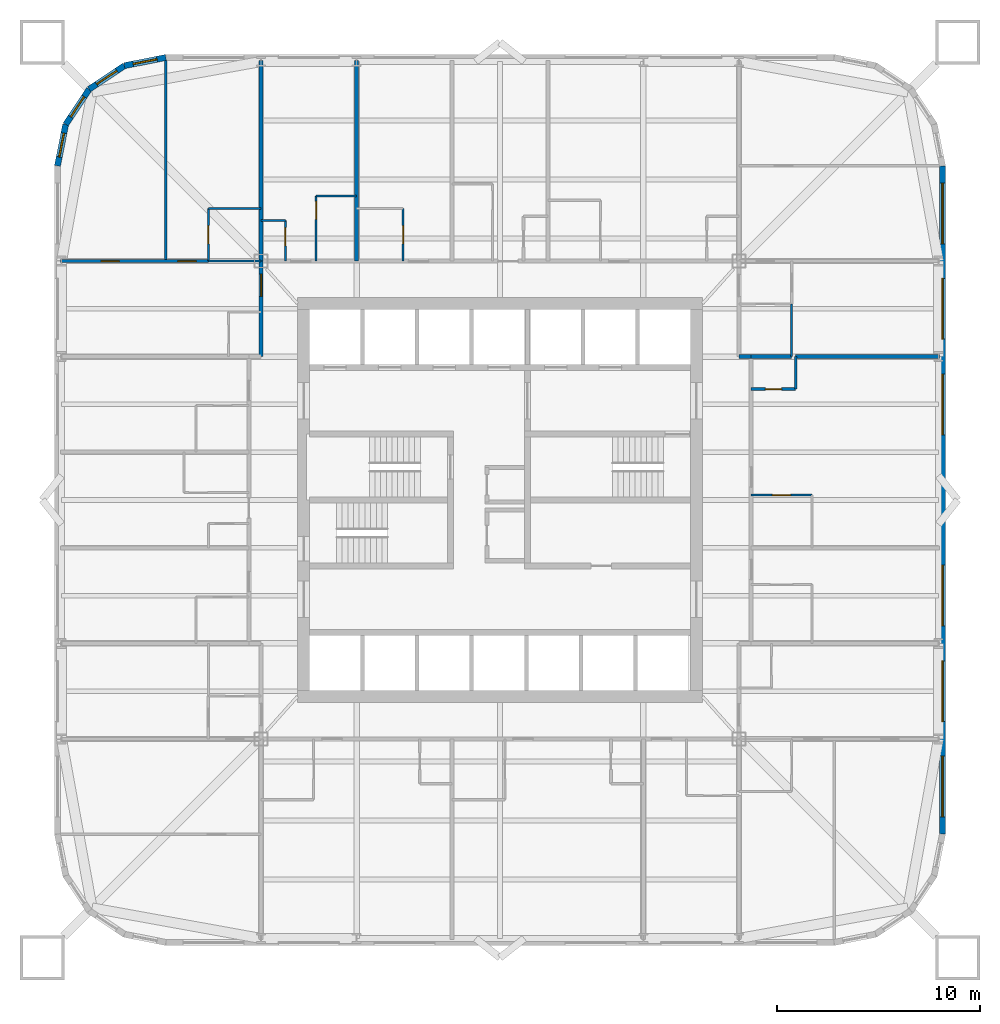
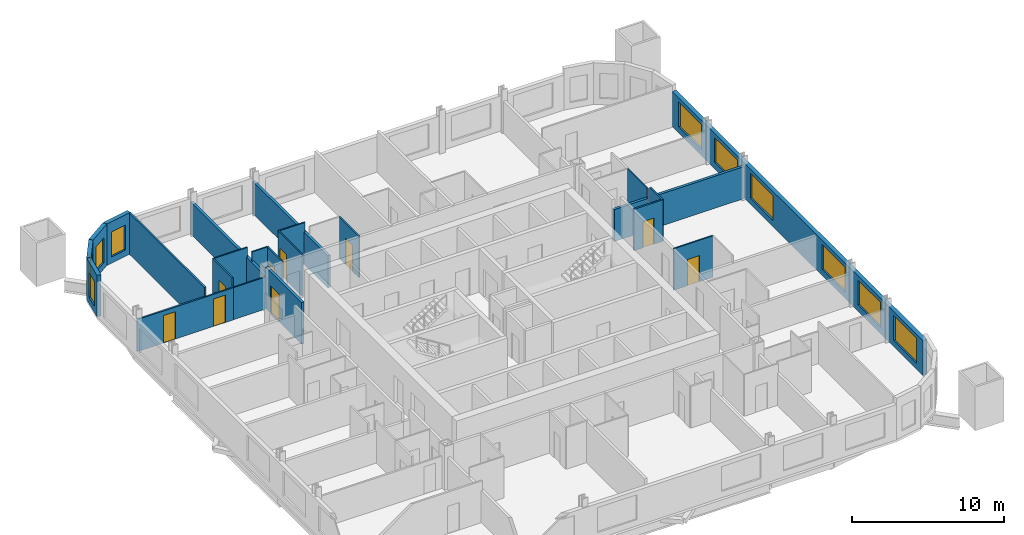
# One storey, part 6 of 9: 25 walls, 10 windows, 9 doors, 19 openings.
"""IFC4 building model written with IfcOpenShell, lengths in metres."""

from ifc_helpers import new_model, si_unit, direction, frame, frame_2d, origin, place, context, subcontext, project, spatial, rectangle, extrude, material, layer, layer_set, type_object, element, fill, save


model = new_model("IFC4")

# Units and contexts
model_context = context("Model", 3, precision=1e-05, world=origin(), true_north=direction((0.0, 1.0)))
body_context = subcontext(model_context, "Body", "Model", "MODEL_VIEW")
ifc_project = project(units=[si_unit("LENGTHUNIT", "METRE"), si_unit("AREAUNIT", "SQUARE_METRE"), si_unit("VOLUMEUNIT", "CUBIC_METRE"), si_unit("PLANEANGLEUNIT", "RADIAN"), si_unit("MASSUNIT", "GRAM", prefix="KILO")], contexts=[model_context])

# Site, building, storey
site_placement = place(None, origin())
site = spatial("IfcSite", under=ifc_project, at=site_placement, CompositionType="ELEMENT")
building_placement = place(site_placement, origin())
building = spatial("IfcBuilding", under=site, at=building_placement, Name="Turquesa Mirador Hotel Tower", CompositionType="ELEMENT")
storey_placement = place(building_placement, frame((0.0, 0.0, 56.5)))
storey = spatial("IfcBuildingStorey", under=building, at=storey_placement, Name="L14", CompositionType="ELEMENT", Elevation=56.5)

# Wall, opening, door
ifc_material_1 = material(Name="Gypsum board on steel studs", Category="steel")
ifc_layer_1 = layer(ifc_material_1, 0.10009765625)
ifc_layer_set_1 = layer_set([ifc_layer_1], Name="BATHROOM WALL 100")
wall_type_1 = type_object("IfcWallType", Name="BATHROOM WALL 100", PredefinedType="PARTITIONING", material=ifc_layer_set_1)
wall_1_placement = place(storey_placement, frame((67.39990234375, 45.239990234375, 0.0), z_axis=(0.0, 0.0, 1.0), x_axis=(1.0, 0.0, 0.0)))
wall_1 = element("IfcWall", 1, at=wall_1_placement, inside=storey, type_object=wall_type_1, Name="Partition L14 023", PredefinedType="PARTITIONING", context=body_context, shape_type="SweptSolid", body=[
    extrude(rectangle(XDim=3.0, YDim=0.10009765625, at=frame_2d((1.5, 0.0))), origin(), (0.0, 0.0, 1.0), 3.330078125),
])
opening_1_placement = place(wall_1_placement, frame((1.050048828125, 0.0, 0.0)))
opening_1 = element("IfcOpeningElement", 2, at=opening_1_placement, cuts=wall_1, Name="Opening D02", PredefinedType="OPENING", context=body_context, shape_type="SweptSolid", body=[
    extrude(rectangle(XDim=0.89990234375, YDim=2.10009765625, at=frame_2d((0.449951171875, 1.050048828125))), frame((0.0, 0.06005859375, 0.0), z_axis=(0.0, -1.0, 0.0), x_axis=(1.0, 0.0, 0.0)), (0.0, 0.0, 1.0), 0.1201171875),
])
ifc_material_2 = material(Name="Timber veneered door", Category="wood")
door_type_1 = type_object("IfcDoorType", Name="DOOR 900X2100 EN-SUITE", OperationType="SINGLE_SWING_RIGHT", PredefinedType="DOOR", material=ifc_material_2)
door_1_placement = place(opening_1_placement, origin())
door_1 = element("IfcDoor", 3, at=door_1_placement, inside=storey, type_object=door_type_1, Name="Door 1409B", OperationType="SINGLE_SWING_RIGHT", OverallHeight=2.10009765625, OverallWidth=0.89990234375, PredefinedType="DOOR", context=body_context, shape_type="SweptSolid", body=[
    extrude(rectangle(XDim=0.89990234375, YDim=2.10009765625, at=frame_2d((0.449951171875, 1.050048828125))), frame((0.0, 0.02490234375, 0.0), z_axis=(0.0, -1.0, 0.0), x_axis=(1.0, 0.0, 0.0)), (0.0, 0.0, 1.0), 0.050048828125),
])
fill(opening_1, door_1)

# Walls
wall_2_placement = place(storey_placement, frame((40.60009765625, 56.800048828125, 0.0), z_axis=(0.0, 0.0, 1.0), x_axis=(1.0, 0.0, 0.0)))
element("IfcWall", 4, at=wall_2_placement, inside=storey, type_object=wall_type_1, Name="Partition L14 025", PredefinedType="PARTITIONING", context=body_context, shape_type="SweptSolid", body=[
    extrude(rectangle(XDim=2.599853515625, YDim=0.10009765625, at=frame_2d((1.2998046875, 0.0))), origin(), (0.0, 0.0, 1.0), 2.572998046875),
])
wall_3_placement = place(storey_placement, frame((43.199951171875, 58.800048828125, 0.0), z_axis=(0.0, 0.0, 1.0), x_axis=(1.0, 0.0, 0.0)))
element("IfcWall", 5, at=wall_3_placement, inside=storey, type_object=wall_type_1, Name="Partition L14 029", PredefinedType="PARTITIONING", context=body_context, shape_type="SweptSolid", body=[
    extrude(rectangle(XDim=1.199951171875, YDim=0.10009765625, at=frame_2d((0.60009765625, 0.0))), origin(), (0.0, 0.0, 1.0), 3.330078125),
])
wall_4_placement = place(storey_placement, frame((40.60009765625, 59.39990234375, 0.0), z_axis=(0.0, 0.0, 1.0), x_axis=(1.0, 0.0, 0.0)))
element("IfcWall", 6, at=wall_4_placement, inside=storey, type_object=wall_type_1, Name="Partition L14 032", PredefinedType="PARTITIONING", context=body_context, shape_type="SweptSolid", body=[
    extrude(rectangle(XDim=2.599853515625, YDim=0.10009765625, at=frame_2d((1.2998046875, 0.0))), origin(), (0.0, 0.0, 1.0), 3.330078125),
])
wall_5_placement = place(storey_placement, frame((45.919921875, 60.0, 0.0), z_axis=(0.0, 0.0, 1.0), x_axis=(1.0, 0.0, 0.0)))
element("IfcWall", 7, at=wall_5_placement, inside=storey, type_object=wall_type_1, Name="Partition L14 035", PredefinedType="PARTITIONING", context=body_context, shape_type="SweptSolid", body=[
    extrude(rectangle(XDim=2.0, YDim=0.10009765625, at=frame_2d((1.0, 0.0))), origin(), (0.0, 0.0, 1.0), 3.330078125),
])

# Wall, opening, door
wall_6_placement = place(storey_placement, frame((44.39990234375, 56.800048828125, 0.0), z_axis=(0.0, 0.0, 1.0), x_axis=(0.0, 1.0, 0.0)))
wall_6 = element("IfcWall", 8, at=wall_6_placement, inside=storey, type_object=wall_type_1, Name="Partition L14 049", PredefinedType="PARTITIONING", context=body_context, shape_type="SweptSolid", body=[
    extrude(rectangle(XDim=2.0, YDim=0.10009765625, at=frame_2d((1.0, 0.0))), origin(), (0.0, 0.0, 1.0), 3.330078125),
])
opening_2_placement = place(wall_6_placement, frame((0.75, 0.0, 0.0)))
opening_2 = element("IfcOpeningElement", 9, at=opening_2_placement, cuts=wall_6, Name="Opening D06", PredefinedType="OPENING", context=body_context, shape_type="SweptSolid", body=[
    extrude(rectangle(XDim=0.89990234375, YDim=2.10009765625, at=frame_2d((0.449951171875, 1.050048828125))), frame((0.0, 0.06005859375, 0.0), z_axis=(0.0, -1.0, 0.0), x_axis=(1.0, 0.0, 0.0)), (0.0, 0.0, 1.0), 0.1201171875),
])
ifc_material_3 = material(Name="Laminate door", Category="wood")
door_type_2 = type_object("IfcDoorType", Name="DOOR 900X2100 WC", OperationType="SINGLE_SWING_LEFT", PredefinedType="DOOR", material=ifc_material_3)
door_2_placement = place(opening_2_placement, origin())
door_2 = element("IfcDoor", 10, at=door_2_placement, inside=storey, type_object=door_type_2, Name="Door 1401W", OperationType="SINGLE_SWING_LEFT", OverallHeight=2.10009765625, OverallWidth=0.89990234375, PredefinedType="DOOR", context=body_context, shape_type="SweptSolid", body=[
    extrude(rectangle(XDim=0.89990234375, YDim=2.10009765625, at=frame_2d((0.449951171875, 1.050048828125))), frame((0.0, 0.02490234375, 0.0), z_axis=(0.0, -1.0, 0.0), x_axis=(1.0, 0.0, 0.0)), (0.0, 0.0, 1.0), 0.050048828125),
])
fill(opening_2, door_2)

wall_7_placement = place(storey_placement, frame((40.60009765625, 56.800048828125, 0.0), z_axis=(0.0, 0.0, 1.0), x_axis=(0.0, 1.0, 0.0)))
wall_7 = element("IfcWall", 11, at=wall_7_placement, inside=storey, type_object=wall_type_1, Name="Partition L14 058", PredefinedType="PARTITIONING", context=body_context, shape_type="SweptSolid", body=[
    extrude(rectangle(XDim=2.599853515625, YDim=0.10009765625, at=frame_2d((1.2998046875, 0.0))), origin(), (0.0, 0.0, 1.0), 3.330078125),
])
opening_3_placement = place(wall_7_placement, frame((0.85009765625, 0.0, 0.0)))
opening_3 = element("IfcOpeningElement", 12, at=opening_3_placement, cuts=wall_7, Name="Opening D02", PredefinedType="OPENING", context=body_context, shape_type="SweptSolid", body=[
    extrude(rectangle(XDim=0.89990234375, YDim=2.10009765625, at=frame_2d((0.449951171875, 1.050048828125))), frame((0.0, 0.06005859375, 0.0), z_axis=(0.0, -1.0, 0.0), x_axis=(1.0, 0.0, 0.0)), (0.0, 0.0, 1.0), 0.1201171875),
])
door_3_placement = place(opening_3_placement, origin())
door_3 = element("IfcDoor", 13, at=door_3_placement, inside=storey, type_object=door_type_1, Name="Door 1414B", OperationType="SINGLE_SWING_RIGHT", OverallHeight=2.10009765625, OverallWidth=0.89990234375, PredefinedType="DOOR", context=body_context, shape_type="SweptSolid", body=[
    extrude(rectangle(XDim=0.89990234375, YDim=2.10009765625, at=frame_2d((0.449951171875, 1.050048828125))), frame((0.0, 0.02490234375, 0.0), z_axis=(0.0, -1.0, 0.0), x_axis=(1.0, 0.0, 0.0)), (0.0, 0.0, 1.0), 0.050048828125),
])
fill(opening_3, door_3)

wall_8_placement = place(storey_placement, frame((50.219970703125, 56.800048828125, 0.0), z_axis=(0.0, 0.0, 1.0), x_axis=(0.0, 1.0, 0.0)))
wall_8 = element("IfcWall", 14, at=wall_8_placement, inside=storey, type_object=wall_type_1, Name="Partition L14 067", PredefinedType="PARTITIONING", context=body_context, shape_type="SweptSolid", body=[
    extrude(rectangle(XDim=2.599853515625, YDim=0.10009765625, at=frame_2d((1.2998046875, 0.0))), origin(), (0.0, 0.0, 1.0), 3.330078125),
])
opening_4_placement = place(wall_8_placement, frame((0.85009765625, 0.0, 0.0)))
opening_4 = element("IfcOpeningElement", 15, at=opening_4_placement, cuts=wall_8, Name="Opening D02", PredefinedType="OPENING", context=body_context, shape_type="SweptSolid", body=[
    extrude(rectangle(XDim=0.89990234375, YDim=2.10009765625, at=frame_2d((0.449951171875, 1.050048828125))), frame((0.0, 0.06005859375, 0.0), z_axis=(0.0, -1.0, 0.0), x_axis=(1.0, 0.0, 0.0)), (0.0, 0.0, 1.0), 0.1201171875),
])
door_4_placement = place(opening_4_placement, origin())
door_4 = element("IfcDoor", 16, at=door_4_placement, inside=storey, type_object=door_type_1, Name="Door 1402B", OperationType="SINGLE_SWING_RIGHT", OverallHeight=2.10009765625, OverallWidth=0.89990234375, PredefinedType="DOOR", context=body_context, shape_type="SweptSolid", body=[
    extrude(rectangle(XDim=0.89990234375, YDim=2.10009765625, at=frame_2d((0.449951171875, 1.050048828125))), frame((0.0, 0.02490234375, 0.0), z_axis=(0.0, -1.0, 0.0), x_axis=(1.0, 0.0, 0.0)), (0.0, 0.0, 1.0), 0.050048828125),
])
fill(opening_4, door_4)

wall_9_placement = place(storey_placement, frame((45.919921875, 56.800048828125, 0.0), z_axis=(0.0, 0.0, 1.0), x_axis=(0.0, 1.0, 0.0)))
wall_9 = element("IfcWall", 17, at=wall_9_placement, inside=storey, type_object=wall_type_1, Name="Partition L14 069", PredefinedType="PARTITIONING", context=body_context, shape_type="SweptSolid", body=[
    extrude(rectangle(XDim=3.199951171875, YDim=0.10009765625, at=frame_2d((1.60009765625, 0.0))), origin(), (0.0, 0.0, 1.0), 3.330078125),
])
opening_5_placement = place(wall_9_placement, frame((2.050048828125, 0.0, 0.0)))
opening_5 = element("IfcOpeningElement", 18, at=opening_5_placement, cuts=wall_9, Name="Opening D02", PredefinedType="OPENING", context=body_context, shape_type="SweptSolid", body=[
    extrude(rectangle(XDim=0.89990234375, YDim=2.10009765625, at=frame_2d((0.449951171875, 1.050048828125))), frame((0.0, 0.06005859375, 0.0), z_axis=(0.0, -1.0, 0.0), x_axis=(1.0, 0.0, 0.0)), (0.0, 0.0, 1.0), 0.1201171875),
])
door_5_placement = place(opening_5_placement, origin())
door_5 = element("IfcDoor", 19, at=door_5_placement, inside=storey, type_object=door_type_1, Name="Door 1401B", OperationType="SINGLE_SWING_RIGHT", OverallHeight=2.10009765625, OverallWidth=0.89990234375, PredefinedType="DOOR", context=body_context, shape_type="SweptSolid", body=[
    extrude(rectangle(XDim=0.89990234375, YDim=2.10009765625, at=frame_2d((0.449951171875, 1.050048828125))), frame((0.0, 0.02490234375, 0.0), z_axis=(0.0, -1.0, 0.0), x_axis=(1.0, 0.0, 0.0)), (0.0, 0.0, 1.0), 0.050048828125),
])
fill(opening_5, door_5)

# Walls
wall_10_placement = place(storey_placement, frame((69.39990234375, 52.080078125, 0.0), z_axis=(0.0, 0.0, 1.0), x_axis=(0.0, 1.0, 0.0)))
element("IfcWall", 20, at=wall_10_placement, inside=storey, type_object=wall_type_1, Name="Partition L14 082", PredefinedType="PARTITIONING", context=body_context, shape_type="SweptSolid", body=[
    extrude(rectangle(XDim=2.599853515625, YDim=0.10009765625, at=frame_2d((1.2998046875, 0.0))), origin(), (0.0, 0.0, 1.0), 3.330078125),
])
ifc_material_4 = material(Name="Fire-rated gypsum board on steel studs", Category="steel")
ifc_layer_2 = layer(ifc_material_4, 0.199951171875)
ifc_layer_set_2 = layer_set([ifc_layer_2], Name="CORRIDOR WALL 200")
wall_type_2 = type_object("IfcWallType", Name="CORRIDOR WALL 200", PredefinedType="PARTITIONING", material=ifc_layer_set_2)
wall_11_placement = place(storey_placement, frame((66.800048828125, 52.080078125, 0.0), z_axis=(0.0, 0.0, 1.0), x_axis=(1.0, 0.0, 0.0)))
element("IfcWall", 21, at=wall_11_placement, inside=storey, type_object=wall_type_2, Name="Partition L14 042", PredefinedType="PARTITIONING", context=body_context, shape_type="SweptSolid", body=[
    extrude(rectangle(XDim=0.599853515625, YDim=0.199951171875, at=frame_2d((0.2998046875, 0.0))), origin(), (0.0, 0.0, 1.0), 2.572998046875),
])

# Wall, opening, door
wall_12_placement = place(storey_placement, frame((43.199951171875, 52.080078125, 0.0), z_axis=(0.0, 0.0, 1.0), x_axis=(0.0, 1.0, 0.0)))
wall_12 = element("IfcWall", 22, at=wall_12_placement, inside=storey, type_object=wall_type_2, Name="Partition L14 051", PredefinedType="PARTITIONING", context=body_context, shape_type="SweptSolid", body=[
    extrude(rectangle(XDim=4.719970703125, YDim=0.199951171875, at=frame_2d((2.35986328125, 0.0))), origin(), (0.0, 0.0, 1.0), 3.330078125),
])
opening_6_placement = place(wall_12_placement, frame((2.969970703125, 0.0, 0.0)))
opening_6 = element("IfcOpeningElement", 23, at=opening_6_placement, cuts=wall_12, Name="Opening D15", PredefinedType="OPENING", context=body_context, shape_type="SweptSolid", body=[
    extrude(rectangle(XDim=1.10009765625, YDim=2.199951171875, at=frame_2d((0.550048828125, 1.10009765625))), frame((0.0, 0.10986328125, 0.0), z_axis=(0.0, -1.0, 0.0), x_axis=(1.0, 0.0, 0.0)), (0.0, 0.0, 1.0), 0.219970703125),
])
ifc_material_5 = material(Name="Timber veneered fire door", Category="wood")
door_type_3 = type_object("IfcDoorType", Name="DOOR 1100X2200 SUITE ENTRY", OperationType="SINGLE_SWING_LEFT", PredefinedType="DOOR", material=ifc_material_5)
door_6_placement = place(opening_6_placement, origin())
door_6 = element("IfcDoor", 24, at=door_6_placement, inside=storey, type_object=door_type_3, Name="Door 1414", OperationType="SINGLE_SWING_LEFT", OverallHeight=2.199951171875, OverallWidth=1.10009765625, PredefinedType="DOOR", context=body_context, shape_type="SweptSolid", body=[
    extrude(rectangle(XDim=1.10009765625, YDim=2.199951171875, at=frame_2d((0.550048828125, 1.10009765625))), frame((0.0, 0.02490234375, 0.0), z_axis=(0.0, -1.0, 0.0), x_axis=(1.0, 0.0, 0.0)), (0.0, 0.0, 1.0), 0.050048828125),
])
fill(opening_6, door_6)

# Wall, openings, windows
ifc_material_6 = material(Name="Limestone cladding on concrete block", Category="masonry")
ifc_layer_3 = layer(ifc_material_6, 0.300048828125)
ifc_layer_set_3 = layer_set([ifc_layer_3], Name="FACADE WALL 300 STONE SCREEN")
wall_type_3 = type_object("IfcWallType", Name="FACADE WALL 300 STONE SCREEN", PredefinedType="SOLIDWALL", material=ifc_layer_set_3)
wall_13_placement = place(storey_placement, frame((76.85009765625, 28.5, 0.0), z_axis=(0.0, 0.0, 1.0), x_axis=(0.0, 1.0, 0.0)))
wall_13 = element("IfcWall", 25, at=wall_13_placement, inside=storey, type_object=wall_type_3, Name="Facade wall L14 04", PredefinedType="SOLIDWALL", context=body_context, shape_type="SweptSolid", body=[
    extrude(rectangle(XDim=33.0, YDim=0.300048828125, at=frame_2d((16.5, 0.0))), origin(), (0.0, 0.0, 1.0), 2.830078125),
])
opening_7_placement = place(wall_13_placement, frame((0.85009765625, 0.0, 0.5)))
opening_7 = element("IfcOpeningElement", 26, at=opening_7_placement, cuts=wall_13, Name="Opening WN1", PredefinedType="OPENING", context=body_context, shape_type="SweptSolid", body=[
    extrude(rectangle(XDim=3.0, YDim=2.0, at=frame_2d((1.5, 1.0))), frame((0.0, 0.159912109375, 0.0), z_axis=(0.0, -1.0, 0.0), x_axis=(1.0, 0.0, 0.0)), (0.0, 0.0, 1.0), 0.320068359375),
])
opening_8_placement = place(wall_13_placement, frame((5.56005859375, 0.0, 0.5)))
opening_8 = element("IfcOpeningElement", 27, at=opening_8_placement, cuts=wall_13, Name="Opening WN1", PredefinedType="OPENING", context=body_context, shape_type="SweptSolid", body=[
    extrude(rectangle(XDim=3.0, YDim=2.0, at=frame_2d((1.5, 1.0))), frame((0.0, 0.159912109375, 0.0), z_axis=(0.0, -1.0, 0.0), x_axis=(1.0, 0.0, 0.0)), (0.0, 0.0, 1.0), 0.320068359375),
])
opening_9_placement = place(wall_13_placement, frame((10.280029296875, 0.0, 0.5)))
opening_9 = element("IfcOpeningElement", 28, at=opening_9_placement, cuts=wall_13, Name="Opening WN1", PredefinedType="OPENING", context=body_context, shape_type="SweptSolid", body=[
    extrude(rectangle(XDim=3.0, YDim=2.0, at=frame_2d((1.5, 1.0))), frame((0.0, 0.159912109375, 0.0), z_axis=(0.0, -1.0, 0.0), x_axis=(1.0, 0.0, 0.0)), (0.0, 0.0, 1.0), 0.320068359375),
])
opening_10_placement = place(wall_13_placement, frame((19.719970703125, 0.0, 0.5)))
opening_10 = element("IfcOpeningElement", 29, at=opening_10_placement, cuts=wall_13, Name="Opening WN1", PredefinedType="OPENING", context=body_context, shape_type="SweptSolid", body=[
    extrude(rectangle(XDim=3.0, YDim=2.0, at=frame_2d((1.5, 1.0))), frame((0.0, 0.159912109375, 0.0), z_axis=(0.0, -1.0, 0.0), x_axis=(1.0, 0.0, 0.0)), (0.0, 0.0, 1.0), 0.320068359375),
])
opening_11_placement = place(wall_13_placement, frame((24.43994140625, 0.0, 0.5)))
opening_11 = element("IfcOpeningElement", 30, at=opening_11_placement, cuts=wall_13, Name="Opening WN1", PredefinedType="OPENING", context=body_context, shape_type="SweptSolid", body=[
    extrude(rectangle(XDim=3.0, YDim=2.0, at=frame_2d((1.5, 1.0))), frame((0.0, 0.159912109375, 0.0), z_axis=(0.0, -1.0, 0.0), x_axis=(1.0, 0.0, 0.0)), (0.0, 0.0, 1.0), 0.320068359375),
])
opening_12_placement = place(wall_13_placement, frame((29.14990234375, 0.0, 0.5)))
opening_12 = element("IfcOpeningElement", 31, at=opening_12_placement, cuts=wall_13, Name="Opening WN1", PredefinedType="OPENING", context=body_context, shape_type="SweptSolid", body=[
    extrude(rectangle(XDim=3.0, YDim=2.0, at=frame_2d((1.5, 1.0))), frame((0.0, 0.159912109375, 0.0), z_axis=(0.0, -1.0, 0.0), x_axis=(1.0, 0.0, 0.0)), (0.0, 0.0, 1.0), 0.320068359375),
])
ifc_material_7 = material(Name="Ceramic-fritted laminated glass", Category="glass")
window_type_1 = type_object("IfcWindowType", Name="FRITTED WINDOW 3000X2000", PartitioningType="DOUBLE_PANEL_HORIZONTAL", PredefinedType="WINDOW", material=ifc_material_7)
window_1_placement = place(opening_7_placement, origin())
window_1 = element("IfcWindow", 32, at=window_1_placement, inside=storey, type_object=window_type_1, Name="Window L14", OverallHeight=2.0, OverallWidth=3.0, PartitioningType="SINGLE_PANEL", PredefinedType="WINDOW", context=body_context, shape_type="SweptSolid", body=[
    extrude(rectangle(XDim=3.0, YDim=2.0, at=frame_2d((1.5, 1.0))), frame((0.0, 0.030029296875, 0.0), z_axis=(0.0, -1.0, 0.0), x_axis=(1.0, 0.0, 0.0)), (0.0, 0.0, 1.0), 0.06005859375),
])
fill(opening_7, window_1)
window_2_placement = place(opening_8_placement, origin())
window_2 = element("IfcWindow", 33, at=window_2_placement, inside=storey, type_object=window_type_1, Name="Window L14", OverallHeight=2.0, OverallWidth=3.0, PartitioningType="SINGLE_PANEL", PredefinedType="WINDOW", context=body_context, shape_type="SweptSolid", body=[
    extrude(rectangle(XDim=3.0, YDim=2.0, at=frame_2d((1.5, 1.0))), frame((0.0, 0.030029296875, 0.0), z_axis=(0.0, -1.0, 0.0), x_axis=(1.0, 0.0, 0.0)), (0.0, 0.0, 1.0), 0.06005859375),
])
fill(opening_8, window_2)
window_3_placement = place(opening_9_placement, origin())
window_3 = element("IfcWindow", 34, at=window_3_placement, inside=storey, type_object=window_type_1, Name="Window L14", OverallHeight=2.0, OverallWidth=3.0, PartitioningType="SINGLE_PANEL", PredefinedType="WINDOW", context=body_context, shape_type="SweptSolid", body=[
    extrude(rectangle(XDim=3.0, YDim=2.0, at=frame_2d((1.5, 1.0))), frame((0.0, 0.030029296875, 0.0), z_axis=(0.0, -1.0, 0.0), x_axis=(1.0, 0.0, 0.0)), (0.0, 0.0, 1.0), 0.06005859375),
])
fill(opening_9, window_3)
window_4_placement = place(opening_10_placement, origin())
window_4 = element("IfcWindow", 35, at=window_4_placement, inside=storey, type_object=window_type_1, Name="Window L14", OverallHeight=2.0, OverallWidth=3.0, PartitioningType="SINGLE_PANEL", PredefinedType="WINDOW", context=body_context, shape_type="SweptSolid", body=[
    extrude(rectangle(XDim=3.0, YDim=2.0, at=frame_2d((1.5, 1.0))), frame((0.0, 0.030029296875, 0.0), z_axis=(0.0, -1.0, 0.0), x_axis=(1.0, 0.0, 0.0)), (0.0, 0.0, 1.0), 0.06005859375),
])
fill(opening_10, window_4)
window_5_placement = place(opening_11_placement, origin())
window_5 = element("IfcWindow", 36, at=window_5_placement, inside=storey, type_object=window_type_1, Name="Window L14", OverallHeight=2.0, OverallWidth=3.0, PartitioningType="SINGLE_PANEL", PredefinedType="WINDOW", context=body_context, shape_type="SweptSolid", body=[
    extrude(rectangle(XDim=3.0, YDim=2.0, at=frame_2d((1.5, 1.0))), frame((0.0, 0.030029296875, 0.0), z_axis=(0.0, -1.0, 0.0), x_axis=(1.0, 0.0, 0.0)), (0.0, 0.0, 1.0), 0.06005859375),
])
fill(opening_11, window_5)
window_6_placement = place(opening_12_placement, origin())
window_6 = element("IfcWindow", 37, at=window_6_placement, inside=storey, type_object=window_type_1, Name="Window L14", OverallHeight=2.0, OverallWidth=3.0, PartitioningType="SINGLE_PANEL", PredefinedType="WINDOW", context=body_context, shape_type="SweptSolid", body=[
    extrude(rectangle(XDim=3.0, YDim=2.0, at=frame_2d((1.5, 1.0))), frame((0.0, 0.030029296875, 0.0), z_axis=(0.0, -1.0, 0.0), x_axis=(1.0, 0.0, 0.0)), (0.0, 0.0, 1.0), 0.06005859375),
])
fill(opening_12, window_6)

# Wall, opening, window
wall_14_placement = place(storey_placement, frame((38.5, 66.85009765625, 0.0), z_axis=(0.0, 0.0, 1.0), x_axis=(-0.980787050784, -0.195081421501, 0.0)))
wall_14 = element("IfcWall", 38, at=wall_14_placement, inside=storey, type_object=wall_type_3, Name="Facade wall L14 10", PredefinedType="SOLIDWALL", context=body_context, shape_type="SweptSolid", body=[
    extrude(rectangle(XDim=2.08740234375, YDim=0.300048828125, at=frame_2d((1.043701171875, 0.0))), origin(), (0.0, 0.0, 1.0), 3.330078125),
])
opening_13_placement = place(wall_14_placement, frame((0.443603515625, 0.0, 0.5)))
opening_13 = element("IfcOpeningElement", 39, at=opening_13_placement, cuts=wall_14, Name="Opening WN4", PredefinedType="OPENING", context=body_context, shape_type="SweptSolid", body=[
    extrude(rectangle(XDim=1.199951171875, YDim=2.0, at=frame_2d((0.60009765625, 1.0))), frame((0.0, 0.159912109375, 0.0), z_axis=(0.0, -1.0, 0.0), x_axis=(1.0, 0.0, 0.0)), (0.0, 0.0, 1.0), 0.320068359375),
])
ifc_material_8 = material(Name="Ceramic-fritted laminated glass", Category="glass")
window_type_2 = type_object("IfcWindowType", Name="FRITTED CORNER WINDOW 1200X2000", PartitioningType="DOUBLE_PANEL_HORIZONTAL", PredefinedType="WINDOW", material=ifc_material_8)
window_7_placement = place(opening_13_placement, origin())
window_7 = element("IfcWindow", 40, at=window_7_placement, inside=storey, type_object=window_type_2, Name="Window L14", OverallHeight=2.0, OverallWidth=1.199951171875, PartitioningType="SINGLE_PANEL", PredefinedType="WINDOW", context=body_context, shape_type="SweptSolid", body=[
    extrude(rectangle(XDim=1.199951171875, YDim=2.0, at=frame_2d((0.60009765625, 1.0))), frame((0.0, 0.030029296875, 0.0), z_axis=(0.0, -1.0, 0.0), x_axis=(1.0, 0.0, 0.0)), (0.0, 0.0, 1.0), 0.06005859375),
])
fill(opening_13, window_7)

wall_15_placement = place(storey_placement, frame((36.45263671875, 66.44287109375, 0.0), z_axis=(0.0, 0.0, 1.0), x_axis=(-0.831420010345, -0.555644460423, 0.0)))
wall_15 = element("IfcWall", 41, at=wall_15_placement, inside=storey, type_object=wall_type_3, Name="Facade wall L14 11", PredefinedType="SOLIDWALL", context=body_context, shape_type="SweptSolid", body=[
    extrude(rectangle(XDim=2.08740234375, YDim=0.300048828125, at=frame_2d((1.043701171875, 0.0))), origin(), (0.0, 0.0, 1.0), 3.330078125),
])
opening_14_placement = place(wall_15_placement, frame((0.443603515625, 0.0, 0.5)))
opening_14 = element("IfcOpeningElement", 42, at=opening_14_placement, cuts=wall_15, Name="Opening WN4", PredefinedType="OPENING", context=body_context, shape_type="SweptSolid", body=[
    extrude(rectangle(XDim=1.199951171875, YDim=2.0, at=frame_2d((0.60009765625, 1.0))), frame((0.0, 0.159912109375, 0.0), z_axis=(0.0, -1.0, 0.0), x_axis=(1.0, 0.0, 0.0)), (0.0, 0.0, 1.0), 0.320068359375),
])
window_8_placement = place(opening_14_placement, origin())
window_8 = element("IfcWindow", 43, at=window_8_placement, inside=storey, type_object=window_type_2, Name="Window L14", OverallHeight=2.0, OverallWidth=1.199951171875, PartitioningType="SINGLE_PANEL", PredefinedType="WINDOW", context=body_context, shape_type="SweptSolid", body=[
    extrude(rectangle(XDim=1.199951171875, YDim=2.0, at=frame_2d((0.60009765625, 1.0))), frame((0.0, 0.030029296875, 0.0), z_axis=(0.0, -1.0, 0.0), x_axis=(1.0, 0.0, 0.0)), (0.0, 0.0, 1.0), 0.06005859375),
])
fill(opening_14, window_8)

wall_16_placement = place(storey_placement, frame((34.717041015625, 65.282958984375, 0.0), z_axis=(0.0, 0.0, 1.0), x_axis=(-0.555644460423, -0.831420010345, 0.0)))
wall_16 = element("IfcWall", 44, at=wall_16_placement, inside=storey, type_object=wall_type_3, Name="Facade wall L14 12", PredefinedType="SOLIDWALL", context=body_context, shape_type="SweptSolid", body=[
    extrude(rectangle(XDim=2.08740234375, YDim=0.300048828125, at=frame_2d((1.043701171875, 0.0))), origin(), (0.0, 0.0, 1.0), 3.330078125),
])
opening_15_placement = place(wall_16_placement, frame((0.443603515625, 0.0, 0.5)))
opening_15 = element("IfcOpeningElement", 45, at=opening_15_placement, cuts=wall_16, Name="Opening WN4", PredefinedType="OPENING", context=body_context, shape_type="SweptSolid", body=[
    extrude(rectangle(XDim=1.199951171875, YDim=2.0, at=frame_2d((0.60009765625, 1.0))), frame((0.0, 0.159912109375, 0.0), z_axis=(0.0, -1.0, 0.0), x_axis=(1.0, 0.0, 0.0)), (0.0, 0.0, 1.0), 0.320068359375),
])
window_9_placement = place(opening_15_placement, origin())
window_9 = element("IfcWindow", 46, at=window_9_placement, inside=storey, type_object=window_type_2, Name="Window L14", OverallHeight=2.0, OverallWidth=1.199951171875, PartitioningType="SINGLE_PANEL", PredefinedType="WINDOW", context=body_context, shape_type="SweptSolid", body=[
    extrude(rectangle(XDim=1.199951171875, YDim=2.0, at=frame_2d((0.60009765625, 1.0))), frame((0.0, 0.030029296875, 0.0), z_axis=(0.0, -1.0, 0.0), x_axis=(1.0, 0.0, 0.0)), (0.0, 0.0, 1.0), 0.06005859375),
])
fill(opening_15, window_9)

wall_17_placement = place(storey_placement, frame((33.55712890625, 63.54736328125, 0.0), z_axis=(0.0, 0.0, 1.0), x_axis=(-0.195081421501, -0.980787050784, 0.0)))
wall_17 = element("IfcWall", 47, at=wall_17_placement, inside=storey, type_object=wall_type_3, Name="Facade wall L14 13", PredefinedType="SOLIDWALL", context=body_context, shape_type="SweptSolid", body=[
    extrude(rectangle(XDim=2.08740234375, YDim=0.300048828125, at=frame_2d((1.043701171875, 0.0))), origin(), (0.0, 0.0, 1.0), 3.330078125),
])
opening_16_placement = place(wall_17_placement, frame((0.443603515625, 0.0, 0.5)))
opening_16 = element("IfcOpeningElement", 48, at=opening_16_placement, cuts=wall_17, Name="Opening WN4", PredefinedType="OPENING", context=body_context, shape_type="SweptSolid", body=[
    extrude(rectangle(XDim=1.199951171875, YDim=2.0, at=frame_2d((0.60009765625, 1.0))), frame((0.0, 0.159912109375, 0.0), z_axis=(0.0, -1.0, 0.0), x_axis=(1.0, 0.0, 0.0)), (0.0, 0.0, 1.0), 0.320068359375),
])
window_10_placement = place(opening_16_placement, origin())
window_10 = element("IfcWindow", 49, at=window_10_placement, inside=storey, type_object=window_type_2, Name="Window L14", OverallHeight=2.0, OverallWidth=1.199951171875, PartitioningType="SINGLE_PANEL", PredefinedType="WINDOW", context=body_context, shape_type="SweptSolid", body=[
    extrude(rectangle(XDim=1.199951171875, YDim=2.0, at=frame_2d((0.60009765625, 1.0))), frame((0.0, 0.030029296875, 0.0), z_axis=(0.0, -1.0, 0.0), x_axis=(1.0, 0.0, 0.0)), (0.0, 0.0, 1.0), 0.06005859375),
])
fill(opening_16, window_10)

# Walls
ifc_material_9 = material(Name="Fire-rated gypsum board on steel studs", Category="steel")
ifc_layer_4 = layer(ifc_material_9, 0.199951171875)
ifc_layer_set_4 = layer_set([ifc_layer_4], Name="PARTY WALL 200")
wall_type_4 = type_object("IfcWallType", Name="PARTY WALL 200", PredefinedType="PARTITIONING", material=ifc_layer_set_4)
wall_18_placement = place(storey_placement, frame((67.39990234375, 52.080078125, 0.0), z_axis=(0.0, 0.0, 1.0), x_axis=(1.0, 0.0, 0.0)))
element("IfcWall", 50, at=wall_18_placement, inside=storey, type_object=wall_type_4, Name="Partition L14 044", PredefinedType="PARTITIONING", context=body_context, shape_type="SweptSolid", body=[
    extrude(rectangle(XDim=2.0, YDim=0.199951171875, at=frame_2d((1.0, 0.0))), origin(), (0.0, 0.0, 1.0), 2.572998046875),
])
wall_19_placement = place(storey_placement, frame((69.60009765625, 52.080078125, 0.0), z_axis=(0.0, 0.0, 1.0), x_axis=(1.0, 0.0, 0.0)))
element("IfcWall", 51, at=wall_19_placement, inside=storey, type_object=wall_type_4, Name="Partition L14 045", PredefinedType="PARTITIONING", context=body_context, shape_type="SweptSolid", body=[
    extrude(rectangle(XDim=7.099853515625, YDim=0.199951171875, at=frame_2d((3.5498046875, 0.0))), origin(), (0.0, 0.0, 1.0), 2.572998046875),
])
for number, where, z_axis, x_axis, name in (
    (52, (43.199951171875, 56.800048828125, 0.0), (0.0, 0.0, 1.0), (0.0, 1.0, 0.0), "Partition L14 053"),
    (53, (47.919921875, 56.800048828125, 0.0), (0.0, 0.0, 1.0), (0.0, 1.0, 0.0), "Partition L14 068"),
):
    element("IfcWall", number, at=place(storey_placement, frame(where, z_axis=z_axis, x_axis=x_axis)), inside=storey, type_object=wall_type_4, Name=name, PredefinedType="PARTITIONING", context=body_context, shape_type="SweptSolid", body=[
        extrude(rectangle(XDim=9.89990234375, YDim=0.199951171875, at=frame_2d((4.949951171875, 0.0))), origin(), (0.0, 0.0, 1.0), 2.572998046875),
    ])

# Wall, openings, doors
ifc_material_10 = material(Name="Acoustic gypsum board on steel studs", Category="steel")
ifc_layer_5 = layer(ifc_material_10, 0.125)
ifc_layer_set_5 = layer_set([ifc_layer_5], Name="SUITE PARTITION 125")
wall_type_5 = type_object("IfcWallType", Name="SUITE PARTITION 125", PredefinedType="PARTITIONING", material=ifc_layer_set_5)
wall_20_placement = place(storey_placement, frame((33.300048828125, 56.800048828125, 0.0), z_axis=(0.0, 0.0, 1.0), x_axis=(1.0, 0.0, 0.0)))
wall_20 = element("IfcWall", 54, at=wall_20_placement, inside=storey, type_object=wall_type_5, Name="Partition L14 027", PredefinedType="PARTITIONING", context=body_context, shape_type="SweptSolid", body=[
    extrude(rectangle(XDim=7.300048828125, YDim=0.125, at=frame_2d((3.64990234375, 0.0))), origin(), (0.0, 0.0, 1.0), 2.572998046875),
])
opening_17_placement = place(wall_20_placement, frame((5.800048828125, 0.0, 0.0)))
opening_17 = element("IfcOpeningElement", 55, at=opening_17_placement, cuts=wall_20, Name="Opening D17", PredefinedType="OPENING", context=body_context, shape_type="SweptSolid", body=[
    extrude(rectangle(XDim=0.89990234375, YDim=2.199951171875, at=frame_2d((0.449951171875, 1.10009765625))), frame((0.0, 0.072509765625, 0.0), z_axis=(0.0, -1.0, 0.0), x_axis=(1.0, 0.0, 0.0)), (0.0, 0.0, 1.0), 0.14501953125),
])
opening_18_placement = place(wall_20_placement, frame((2.0, 0.0, 0.0)))
opening_18 = element("IfcOpeningElement", 56, at=opening_18_placement, cuts=wall_20, Name="Opening D17", PredefinedType="OPENING", context=body_context, shape_type="SweptSolid", body=[
    extrude(rectangle(XDim=0.89990234375, YDim=2.199951171875, at=frame_2d((0.449951171875, 1.10009765625))), frame((0.0, 0.072509765625, 0.0), z_axis=(0.0, -1.0, 0.0), x_axis=(1.0, 0.0, 0.0)), (0.0, 0.0, 1.0), 0.14501953125),
])
ifc_material_11 = material(Name="Timber veneered door", Category="wood")
door_type_4 = type_object("IfcDoorType", Name="DOOR 900X2200 SUITE INTERNAL", OperationType="SINGLE_SWING_LEFT", PredefinedType="DOOR", material=ifc_material_11)
door_7_placement = place(opening_17_placement, origin())
door_7 = element("IfcDoor", 57, at=door_7_placement, inside=storey, type_object=door_type_4, Name="Door 1414R", OperationType="SINGLE_SWING_LEFT", OverallHeight=2.199951171875, OverallWidth=0.89990234375, PredefinedType="DOOR", context=body_context, shape_type="SweptSolid", body=[
    extrude(rectangle(XDim=0.89990234375, YDim=2.199951171875, at=frame_2d((0.449951171875, 1.10009765625))), frame((0.0, 0.02490234375, 0.0), z_axis=(0.0, -1.0, 0.0), x_axis=(1.0, 0.0, 0.0)), (0.0, 0.0, 1.0), 0.050048828125),
])
fill(opening_17, door_7)
door_8_placement = place(opening_18_placement, origin())
door_8 = element("IfcDoor", 58, at=door_8_placement, inside=storey, type_object=door_type_4, Name="Door 1414S", OperationType="SINGLE_SWING_LEFT", OverallHeight=2.199951171875, OverallWidth=0.89990234375, PredefinedType="DOOR", context=body_context, shape_type="SweptSolid", body=[
    extrude(rectangle(XDim=0.89990234375, YDim=2.199951171875, at=frame_2d((0.449951171875, 1.10009765625))), frame((0.0, 0.02490234375, 0.0), z_axis=(0.0, -1.0, 0.0), x_axis=(1.0, 0.0, 0.0)), (0.0, 0.0, 1.0), 0.050048828125),
])
fill(opening_18, door_8)

# Wall, opening, door
wall_21_placement = place(storey_placement, frame((67.39990234375, 50.47998046875, 0.0), z_axis=(0.0, 0.0, 1.0), x_axis=(1.0, 0.0, 0.0)))
wall_21 = element("IfcWall", 59, at=wall_21_placement, inside=storey, type_object=wall_type_5, Name="Partition L14 040", PredefinedType="PARTITIONING", context=body_context, shape_type="SweptSolid", body=[
    extrude(rectangle(XDim=2.2001953125, YDim=0.125, at=frame_2d((1.10009765625, 0.0))), origin(), (0.0, 0.0, 1.0), 3.330078125),
])
opening_19_placement = place(wall_21_placement, frame((0.699951171875, 0.0, 0.0)))
opening_19 = element("IfcOpeningElement", 60, at=opening_19_placement, cuts=wall_21, Name="Opening D20", PredefinedType="OPENING", context=body_context, shape_type="SweptSolid", body=[
    extrude(rectangle(XDim=0.800048828125, YDim=2.10009765625, at=frame_2d((0.39990234375, 1.050048828125))), frame((0.0, 0.072509765625, 0.0), z_axis=(0.0, -1.0, 0.0), x_axis=(1.0, 0.0, 0.0)), (0.0, 0.0, 1.0), 0.14501953125),
])
ifc_material_12 = material(Name="Timber veneered sliding door", Category="wood")
door_type_5 = type_object("IfcDoorType", Name="DOOR 800X2100 WARDROBE", OperationType="SLIDING_TO_LEFT", PredefinedType="DOOR", material=ifc_material_12)
door_9_placement = place(opening_19_placement, origin())
door_9 = element("IfcDoor", 61, at=door_9_placement, inside=storey, type_object=door_type_5, Name="Door 1409W", OperationType="SLIDING_TO_LEFT", OverallHeight=2.10009765625, OverallWidth=0.800048828125, PredefinedType="DOOR", context=body_context, shape_type="SweptSolid", body=[
    extrude(rectangle(XDim=0.800048828125, YDim=2.10009765625, at=frame_2d((0.39990234375, 1.050048828125))), frame((0.0, 0.02490234375, 0.0), z_axis=(0.0, -1.0, 0.0), x_axis=(1.0, 0.0, 0.0)), (0.0, 0.0, 1.0), 0.050048828125),
])
fill(opening_19, door_9)

# Walls
wall_22_placement = place(storey_placement, frame((38.5, 56.800048828125, 0.0), z_axis=(0.0, 0.0, 1.0), x_axis=(0.0, 1.0, 0.0)))
element("IfcWall", 62, at=wall_22_placement, inside=storey, type_object=wall_type_5, Name="Partition L14 063", PredefinedType="PARTITIONING", context=body_context, shape_type="SweptSolid", body=[
    extrude(rectangle(XDim=9.89404296875, YDim=0.125, at=frame_2d((4.947021484375, 0.0))), origin(), (0.0, 0.0, 1.0), 3.330078125),
])
wall_23_placement = place(storey_placement, frame((69.60009765625, 50.47998046875, 0.0), z_axis=(0.0, 0.0, 1.0), x_axis=(0.0, 1.0, 0.0)))
element("IfcWall", 63, at=wall_23_placement, inside=storey, type_object=wall_type_5, Name="Partition L14 084", PredefinedType="PARTITIONING", context=body_context, shape_type="SweptSolid", body=[
    extrude(rectangle(XDim=1.60009765625, YDim=0.125, at=frame_2d((0.800048828125, 0.0))), origin(), (0.0, 0.0, 1.0), 3.330078125),
])

save(model, "model.ifc")
